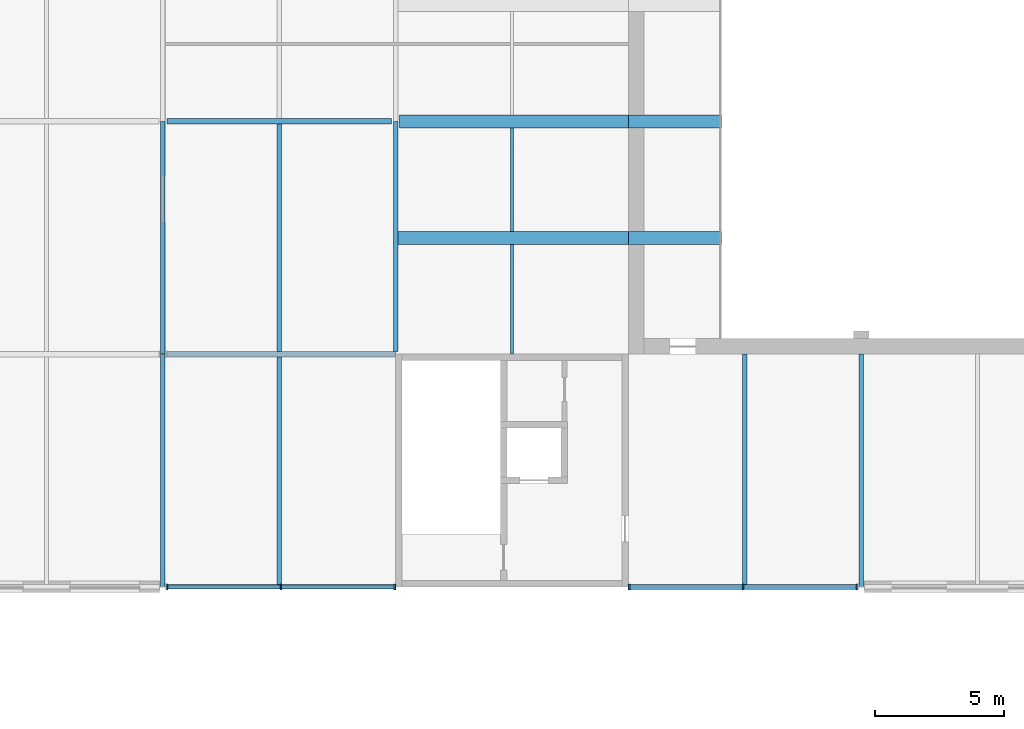
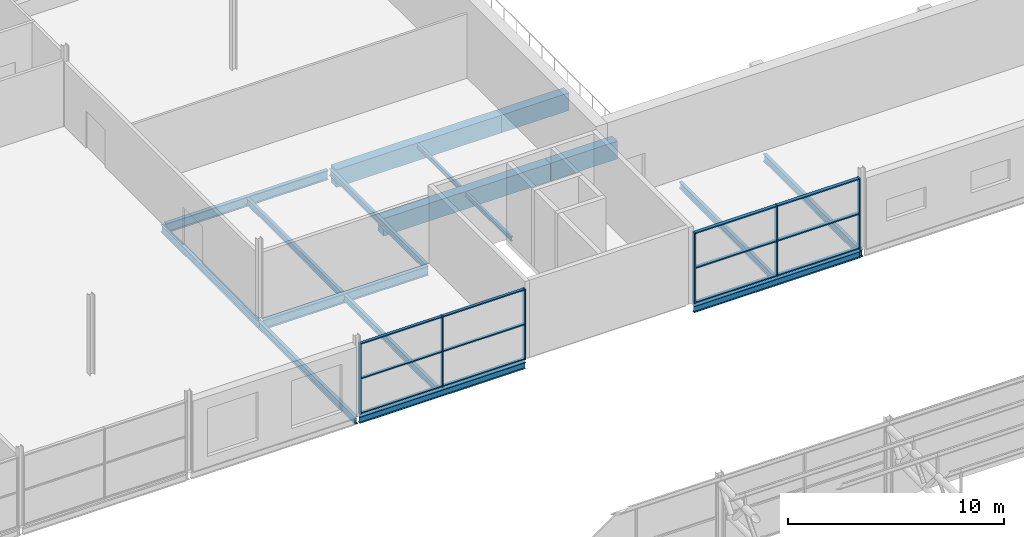
# One storey, part 59 of 138: 18 members, 17 beams, 2 elements without a shape of their own.
"""IFC4 building model written with IfcOpenShell, lengths in metres."""

from ifc_helpers import new_model, si_unit, direction, frame, origin, origin_2d, place, context, subcontext, project, spatial, rectangle, i_section, extrude, material, layer, layer_set, material_profile, profile_set, type_object, element, aggregate, save


model = new_model("IFC4")

# Units and contexts
model_context = context("Model", 3, precision=1e-05, world=origin(), true_north=direction((0.0, 1.0)))
body_context = subcontext(model_context, "Body", "Model", "MODEL_VIEW")
ifc_project = project(units=[si_unit("LENGTHUNIT", "METRE"), si_unit("AREAUNIT", "SQUARE_METRE"), si_unit("VOLUMEUNIT", "CUBIC_METRE"), si_unit("PLANEANGLEUNIT", "RADIAN"), si_unit("MASSUNIT", "GRAM", prefix="KILO")], contexts=[model_context])

# Site, building, storey
site_placement = place(None, origin())
site = spatial("IfcSite", under=ifc_project, at=site_placement, CompositionType="ELEMENT")
building_placement = place(site_placement, origin())
building = spatial("IfcBuilding", under=site, at=building_placement, Name="Corbel Yard City Hall", CompositionType="ELEMENT")
storey_placement = place(building_placement, frame((0.0, 0.0, 10.5)))
storey = spatial("IfcBuildingStorey", under=building, at=storey_placement, Name="L02", CompositionType="ELEMENT", Elevation=10.5)

# Beams
ifc_material_1 = material(Name="Steel Grade 300 (300 MPa yield)", Category="steel")
ifc_material_profile_1 = material_profile(ifc_material_1, i_section(OverallWidth=0.1708984375, OverallDepth=0.35595703125, WebThickness=0.00732421875, FlangeThickness=0.011474609375, at=origin_2d()), Name="360UB50.7")
ifc_profile_set_1 = profile_set([ifc_material_profile_1], Name="Steel Grade 300 (300 MPa yield)")
beam_type_1 = type_object("IfcBeamType", Name="Beam 360UB50.7", PredefinedType="BEAM", material=ifc_profile_set_1)
beam_1_placement = place(storey_placement, frame((108.0, 54.1044921875, -0.327880859375), z_axis=(0.0, 1.0, 0.0), x_axis=(-1.0, 0.0, 0.0)))
element("IfcBeam", 1, at=beam_1_placement, inside=storey, type_object=beam_type_1, Name="Beam 360UB50.7 SB14 L02floor", PredefinedType="BEAM", context=body_context, shape_type="SweptSolid", body=[
    extrude(i_section(OverallWidth=0.1708984375, OverallDepth=0.35595703125, WebThickness=0.00732421875, FlangeThickness=0.011474609375, at=origin_2d()), origin(), (0.0, 0.0, 1.0), 8.8896484375),
])
ifc_material_profile_2 = material_profile(ifc_material_1, i_section(OverallWidth=0.177978515625, OverallDepth=0.403076171875, WebThickness=0.007568359375, FlangeThickness=0.010986328125, at=origin_2d()), Name="410UB53.7")
ifc_profile_set_2 = profile_set([ifc_material_profile_2], Name="Steel Grade 300 (300 MPa yield)")
beam_type_2 = type_object("IfcBeamType", Name="Beam 410UB53.7", PredefinedType="BEAM", material=ifc_profile_set_2)
beam_2_placement = place(storey_placement, frame((99.0, 45.00537109375, -0.3515625), z_axis=(0.0, 1.0, 0.0), x_axis=(-1.0, 0.0, 0.0)))
element("IfcBeam", 2, at=beam_2_placement, inside=storey, type_object=beam_type_2, Name="Beam 410UB53.7 SB6 L02floor", PredefinedType="BEAM", context=body_context, shape_type="SweptSolid", body=[
    extrude(i_section(OverallWidth=0.177978515625, OverallDepth=0.403076171875, WebThickness=0.007568359375, FlangeThickness=0.010986328125, at=origin_2d()), origin(), (0.0, 0.0, 1.0), 8.98876953125),
])
beam_3_placement = place(storey_placement, frame((99.0, 54.005859375, -0.3515625), z_axis=(0.0, 1.0, 0.0), x_axis=(-1.0, 0.0, 0.0)))
element("IfcBeam", 3, at=beam_3_placement, inside=storey, type_object=beam_type_2, Name="Beam 410UB53.7 SB6 L02floor", PredefinedType="BEAM", context=body_context, shape_type="SweptSolid", body=[
    extrude(i_section(OverallWidth=0.177978515625, OverallDepth=0.403076171875, WebThickness=0.007568359375, FlangeThickness=0.010986328125, at=origin_2d()), origin(), (0.0, 0.0, 1.0), 8.98828125),
])
beam_4_placement = place(storey_placement, frame((126.0, 45.00537109375, -0.3515625), z_axis=(0.0, 1.0, 0.0), x_axis=(-1.0, 0.0, 0.0)))
element("IfcBeam", 4, at=beam_4_placement, inside=storey, type_object=beam_type_2, Name="Beam 410UB53.7 SB6 L02floor", PredefinedType="BEAM", context=body_context, shape_type="SweptSolid", body=[
    extrude(i_section(OverallWidth=0.177978515625, OverallDepth=0.403076171875, WebThickness=0.007568359375, FlangeThickness=0.010986328125, at=origin_2d()), origin(), (0.0, 0.0, 1.0), 8.99462890625),
])
ifc_material_profile_3 = material_profile(ifc_material_1, i_section(OverallWidth=0.172119140625, OverallDepth=0.35888671875, WebThickness=0.008056640625, FlangeThickness=0.012939453125, at=origin_2d()), Name="360UB56.7")
ifc_profile_set_3 = profile_set([ifc_material_profile_3], Name="Steel Grade 300 (300 MPa yield)")
beam_type_3 = type_object("IfcBeamType", Name="Edge beam 360UB56.7", PredefinedType="BEAM", material=ifc_profile_set_3)
for number, where, z_axis, x_axis, name in (
    (5, (99.1298828125, 45.0, -0.32958984375), (1.0, 0.0, 0.0), (0.0, 1.0, 0.0), "Edge beam 360UB56.7 EB4 L02floor"),
    (6, (117.0, 45.0, -0.32958984375), (1.0, 0.0, 0.0), (0.0, 1.0, 0.0), "Edge beam 360UB56.7 EB4 L02floor"),
):
    element("IfcBeam", number, at=place(storey_placement, frame(where, z_axis=z_axis, x_axis=x_axis)), inside=storey, type_object=beam_type_3, Name=name, PredefinedType="BEAM", context=body_context, shape_type="SweptSolid", body=[
        extrude(i_section(OverallWidth=0.172119140625, OverallDepth=0.35888671875, WebThickness=0.008056640625, FlangeThickness=0.012939453125, at=origin_2d()), origin(), (0.0, 0.0, 1.0), 8.8701171875),
    ])
ifc_material_2 = material(Name="Concrete N40 (40 MPa)", Category="concrete")
ifc_material_profile_4 = material_profile(ifc_material_2, rectangle(XDim=0.5, YDim=1.0, at=origin_2d()), Name="500x1000")
ifc_profile_set_4 = profile_set([ifc_material_profile_4], Name="Concrete N40 (40 MPa)")
beam_type_4 = type_object("IfcBeamType", Name="Gallery back-span beam RC 500X1000", PredefinedType="BEAM", material=ifc_profile_set_4)
beam_5_placement = place(storey_placement, frame((108.08544921875, 58.5, -0.64990234375), z_axis=(1.0, 0.0, 0.0), x_axis=(0.0, 1.0, 0.0)))
element("IfcBeam", 7, at=beam_5_placement, inside=storey, type_object=beam_type_4, Name="Gallery back-span beam RC 500X1000 TB1 L02floor", PredefinedType="BEAM", context=body_context, shape_type="SweptSolid", body=[
    extrude(rectangle(XDim=0.5, YDim=1.0, at=origin_2d()), origin(), (0.0, 0.0, 1.0), 8.91455078125),
])
beam_6_placement = place(storey_placement, frame((108.157470703125, 63.0, -0.64990234375), z_axis=(1.0, 0.0, 0.0), x_axis=(0.0, 1.0, 0.0)))
element("IfcBeam", 8, at=beam_6_placement, inside=storey, type_object=beam_type_4, Name="Gallery back-span beam RC 500X1000 TB1 L02floor", PredefinedType="BEAM", context=body_context, shape_type="SweptSolid", body=[
    extrude(rectangle(XDim=0.5, YDim=1.0, at=origin_2d()), origin(), (0.0, 0.0, 1.0), 8.842529296875),
])
ifc_material_profile_5 = material_profile(ifc_material_2, rectangle(XDim=0.5, YDim=1.0, at=origin_2d()), Name="500x1000")
ifc_profile_set_5 = profile_set([ifc_material_profile_5], Name="Concrete N40 (40 MPa)")
beam_type_5 = type_object("IfcBeamType", Name="Gallery cantilever beam RC 500X1000", PredefinedType="BEAM", material=ifc_profile_set_5)
for number, where, z_axis, x_axis, name in (
    (9, (117.0, 58.5, -0.64990234375), (1.0, 0.0, 0.0), (0.0, 1.0, 0.0), "Gallery cantilever beam RC 500X1000 TB2 L02floor"),
    (10, (117.0, 63.0, -0.64990234375), (1.0, 0.0, 0.0), (0.0, 1.0, 0.0), "Gallery cantilever beam RC 500X1000 TB2 L02floor"),
):
    element("IfcBeam", number, at=place(storey_placement, frame(where, z_axis=z_axis, x_axis=x_axis)), inside=storey, type_object=beam_type_5, Name=name, PredefinedType="BEAM", context=body_context, shape_type="SweptSolid", body=[
        extrude(rectangle(XDim=0.5, YDim=1.0, at=origin_2d()), origin(), (0.0, 0.0, 1.0), 3.60009765625),
    ])
ifc_material_profile_6 = material_profile(ifc_material_1, i_section(OverallWidth=0.208984375, OverallDepth=0.528076171875, WebThickness=0.009521484375, FlangeThickness=0.01318359375, at=origin_2d()), Name="530UB82.0")
ifc_profile_set_6 = profile_set([ifc_material_profile_6], Name="Steel Grade 300 (300 MPa yield)")
beam_type_6 = type_object("IfcBeamType", Name="Girder 530UB82.0", PredefinedType="BEAM", material=ifc_profile_set_6)
beam_7_placement = place(storey_placement, frame((99.157470703125, 54.0, -0.4140625), z_axis=(1.0, 0.0, 0.0), x_axis=(0.0, 1.0, 0.0)))
element("IfcBeam", 11, at=beam_7_placement, inside=storey, type_object=beam_type_6, Name="Girder 530UB82.0 GB3 L02floor", PredefinedType="BEAM", context=body_context, shape_type="SweptSolid", body=[
    extrude(i_section(OverallWidth=0.208984375, OverallDepth=0.528076171875, WebThickness=0.009521484375, FlangeThickness=0.01318359375, at=origin_2d()), origin(), (0.0, 0.0, 1.0), 8.842529296875),
])
beam_8_placement = place(storey_placement, frame((99.157470703125, 63.0, -0.4140625), z_axis=(1.0, 0.0, 0.0), x_axis=(0.0, 1.0, 0.0)))
element("IfcBeam", 12, at=beam_8_placement, inside=storey, type_object=beam_type_6, Name="Girder 530UB82.0 GB3 L02floor", PredefinedType="BEAM", context=body_context, shape_type="SweptSolid", body=[
    extrude(i_section(OverallWidth=0.208984375, OverallDepth=0.528076171875, WebThickness=0.009521484375, FlangeThickness=0.01318359375, at=origin_2d()), origin(), (0.0, 0.0, 1.0), 8.68505859375),
])

# Curtain wall, members
ifc_material_3 = material(Name="Aluminium extrusion", Category="aluminium")
ifc_layer_1 = layer(ifc_material_3, 0.199951171875)
ifc_layer_set_1 = layer_set([ifc_layer_1], Name="Aluminium extrusion")
curtain_wall_type_1 = type_object("IfcCurtainWallType", Name="CW1", PredefinedType="USERDEFINED", material=ifc_layer_set_1)
curtain_wall_1_placement = place(storey_placement, origin())
curtain_wall_1 = element("IfcCurtainWall", 13, at=curtain_wall_1_placement, inside=storey, type_object=curtain_wall_type_1, Name="Curtain wall CW1 L02", ObjectType="CURTAIN WALL", PredefinedType="USERDEFINED")
ifc_material_profile_7 = material_profile(ifc_material_3, rectangle(XDim=0.199951171875, YDim=0.06494140625, at=origin_2d()), Name="200x65")
ifc_profile_set_7 = profile_set([ifc_material_profile_7], Name="Aluminium extrusion")
member_type_1 = type_object("IfcMemberType", Name="ML1", PredefinedType="MULLION", material=ifc_profile_set_7)
member_1_placement = place(storey_placement, frame((99.159423828125, 45.0, 0.0), z_axis=(0.0, 0.0, 1.0), x_axis=(0.0, 1.0, 0.0)))
member_1 = element("IfcMember", 14, at=member_1_placement, type_object=member_type_1, Name="CW1 mullion 1", PredefinedType="MULLION", context=body_context, shape_type="SweptSolid", body=[
    extrude(rectangle(XDim=0.199951171875, YDim=0.06494140625, at=origin_2d()), origin(), (0.0, 0.0, 1.0), 3.990966796875),
])
member_2_placement = place(storey_placement, frame((103.5634765625, 45.0, 0.0), z_axis=(0.0, 0.0, 1.0), x_axis=(0.0, 1.0, 0.0)))
member_2 = element("IfcMember", 15, at=member_2_placement, type_object=member_type_1, Name="CW1 mullion 2", PredefinedType="MULLION", context=body_context, shape_type="SweptSolid", body=[
    extrude(rectangle(XDim=0.199951171875, YDim=0.06494140625, at=origin_2d()), origin(), (0.0, 0.0, 1.0), 3.990966796875),
])
member_3_placement = place(storey_placement, frame((107.967529296875, 45.0, 0.0), z_axis=(0.0, 0.0, 1.0), x_axis=(0.0, 1.0, 0.0)))
member_3 = element("IfcMember", 16, at=member_3_placement, type_object=member_type_1, Name="CW1 mullion 3", PredefinedType="MULLION", context=body_context, shape_type="SweptSolid", body=[
    extrude(rectangle(XDim=0.199951171875, YDim=0.06494140625, at=origin_2d()), origin(), (0.0, 0.0, 1.0), 3.990966796875),
])

ifc_layer_2 = layer(ifc_material_3, 0.219970703125)
ifc_layer_set_2 = layer_set([ifc_layer_2], Name="Aluminium extrusion")
curtain_wall_type_2 = type_object("IfcCurtainWallType", Name="CW5", PredefinedType="USERDEFINED", material=ifc_layer_set_2)
curtain_wall_2_placement = place(storey_placement, origin())
curtain_wall_2 = element("IfcCurtainWall", 17, at=curtain_wall_2_placement, inside=storey, type_object=curtain_wall_type_2, Name="Curtain wall CW5 L02", ObjectType="CURTAIN WALL", PredefinedType="USERDEFINED")
ifc_material_profile_8 = material_profile(ifc_material_3, rectangle(XDim=0.219970703125, YDim=0.06494140625, at=origin_2d()), Name="220x65")
ifc_profile_set_8 = profile_set([ifc_material_profile_8], Name="Aluminium extrusion")
member_type_2 = type_object("IfcMemberType", Name="ML5", PredefinedType="MULLION", material=ifc_profile_set_8)
member_4_placement = place(storey_placement, frame((117.032470703125, 45.0, 0.0), z_axis=(0.0, 0.0, 1.0), x_axis=(0.0, 1.0, 0.0)))
member_4 = element("IfcMember", 18, at=member_4_placement, type_object=member_type_2, Name="CW5 mullion 1", PredefinedType="MULLION", context=body_context, shape_type="SweptSolid", body=[
    extrude(rectangle(XDim=0.219970703125, YDim=0.06494140625, at=origin_2d()), origin(), (0.0, 0.0, 1.0), 3.990966796875),
])
member_5_placement = place(storey_placement, frame((121.4365234375, 45.0, 0.0), z_axis=(0.0, 0.0, 1.0), x_axis=(0.0, 1.0, 0.0)))
member_5 = element("IfcMember", 19, at=member_5_placement, type_object=member_type_2, Name="CW5 mullion 2", PredefinedType="MULLION", context=body_context, shape_type="SweptSolid", body=[
    extrude(rectangle(XDim=0.219970703125, YDim=0.06494140625, at=origin_2d()), origin(), (0.0, 0.0, 1.0), 3.990966796875),
])
member_6_placement = place(storey_placement, frame((125.840576171875, 45.0, 0.0), z_axis=(0.0, 0.0, 1.0), x_axis=(0.0, 1.0, 0.0)))
member_6 = element("IfcMember", 20, at=member_6_placement, type_object=member_type_2, Name="CW5 mullion 3", PredefinedType="MULLION", context=body_context, shape_type="SweptSolid", body=[
    extrude(rectangle(XDim=0.219970703125, YDim=0.06494140625, at=origin_2d()), origin(), (0.0, 0.0, 1.0), 3.990966796875),
])

# Beams
ifc_material_profile_9 = material_profile(ifc_material_1, i_section(OverallWidth=0.1708984375, OverallDepth=0.35205078125, WebThickness=0.0068359375, FlangeThickness=0.009765625, at=origin_2d()), Name="360UB44.7")
ifc_profile_set_9 = profile_set([ifc_material_profile_9], Name="Steel Grade 300 (300 MPa yield)")
beam_type_7 = type_object("IfcBeamType", Name="Secondary beam 360UB44.7", PredefinedType="JOIST", material=ifc_profile_set_9)
beam_9_placement = place(storey_placement, frame((103.5, 54.1044921875, -0.325927734375), z_axis=(0.0, 1.0, 0.0), x_axis=(-1.0, 0.0, 0.0)))
element("IfcBeam", 21, at=beam_9_placement, inside=storey, type_object=beam_type_7, Name="Secondary beam 360UB44.7 SB11 L02floor", PredefinedType="JOIST", context=body_context, shape_type="SweptSolid", body=[
    extrude(i_section(OverallWidth=0.1708984375, OverallDepth=0.35205078125, WebThickness=0.0068359375, FlangeThickness=0.009765625, at=origin_2d()), origin(), (0.0, 0.0, 1.0), 8.791015625),
])
ifc_material_profile_10 = material_profile(ifc_material_1, i_section(OverallWidth=0.1708984375, OverallDepth=0.35595703125, WebThickness=0.00732421875, FlangeThickness=0.011474609375, at=origin_2d()), Name="360UB50.7")
ifc_profile_set_10 = profile_set([ifc_material_profile_10], Name="Steel Grade 300 (300 MPa yield)")
beam_type_8 = type_object("IfcBeamType", Name="Secondary beam 360UB50.7", PredefinedType="JOIST", material=ifc_profile_set_10)
beam_10_placement = place(storey_placement, frame((103.5, 45.0859375, -0.327880859375), z_axis=(0.0, 1.0, 0.0), x_axis=(-1.0, 0.0, 0.0)))
element("IfcBeam", 22, at=beam_10_placement, inside=storey, type_object=beam_type_8, Name="Secondary beam 360UB50.7 SB10 L02floor", PredefinedType="JOIST", context=body_context, shape_type="SweptSolid", body=[
    extrude(i_section(OverallWidth=0.1708984375, OverallDepth=0.35595703125, WebThickness=0.00732421875, FlangeThickness=0.011474609375, at=origin_2d()), origin(), (0.0, 0.0, 1.0), 8.8095703125),
])
ifc_material_profile_11 = material_profile(ifc_material_1, i_section(OverallWidth=0.172119140625, OverallDepth=0.35888671875, WebThickness=0.008056640625, FlangeThickness=0.012939453125, at=origin_2d()), Name="360UB56.7")
ifc_profile_set_11 = profile_set([ifc_material_profile_11], Name="Steel Grade 300 (300 MPa yield)")
beam_type_9 = type_object("IfcBeamType", Name="Secondary beam 360UB56.7", PredefinedType="JOIST", material=ifc_profile_set_11)
beam_11_placement = place(storey_placement, frame((121.5, 45.0859375, -0.32958984375), z_axis=(0.0, 1.0, 0.0), x_axis=(-1.0, 0.0, 0.0)))
element("IfcBeam", 23, at=beam_11_placement, inside=storey, type_object=beam_type_9, Name="Secondary beam 360UB56.7 SB12 L02floor", PredefinedType="JOIST", context=body_context, shape_type="SweptSolid", body=[
    extrude(i_section(OverallWidth=0.172119140625, OverallDepth=0.35888671875, WebThickness=0.008056640625, FlangeThickness=0.012939453125, at=origin_2d()), origin(), (0.0, 0.0, 1.0), 8.9140625),
])
ifc_material_profile_12 = material_profile(ifc_material_1, i_section(OverallWidth=0.1240234375, OverallDepth=0.248046875, WebThickness=0.0048828125, FlangeThickness=0.008056640625, at=origin_2d()), Name="250UB25.7")
ifc_profile_set_12 = profile_set([ifc_material_profile_12], Name="Steel Grade 300 (300 MPa yield)")
beam_type_10 = type_object("IfcBeamType", Name="Short secondary beam 250UB25.7", PredefinedType="JOIST", material=ifc_profile_set_12)
beam_12_placement = place(storey_placement, frame((112.5, 54.0, -0.27392578125), z_axis=(0.0, 1.0, 0.0), x_axis=(-1.0, 0.0, 0.0)))
element("IfcBeam", 24, at=beam_12_placement, inside=storey, type_object=beam_type_10, Name="Short secondary beam 250UB25.7 SB9 L02floor", PredefinedType="JOIST", context=body_context, shape_type="SweptSolid", body=[
    extrude(i_section(OverallWidth=0.1240234375, OverallDepth=0.248046875, WebThickness=0.0048828125, FlangeThickness=0.008056640625, at=origin_2d()), origin(), (0.0, 0.0, 1.0), 4.25),
])
beam_13_placement = place(storey_placement, frame((112.5, 58.75, -0.27392578125), z_axis=(0.0, 1.0, 0.0), x_axis=(-1.0, 0.0, 0.0)))
element("IfcBeam", 25, at=beam_13_placement, inside=storey, type_object=beam_type_10, Name="Short secondary beam 250UB25.7 SB9 L02floor", PredefinedType="JOIST", context=body_context, shape_type="SweptSolid", body=[
    extrude(i_section(OverallWidth=0.1240234375, OverallDepth=0.248046875, WebThickness=0.0048828125, FlangeThickness=0.008056640625, at=origin_2d()), origin(), (0.0, 0.0, 1.0), 4.0),
])

# Member
ifc_material_profile_13 = material_profile(ifc_material_3, rectangle(XDim=0.14990234375, YDim=0.06494140625, at=origin_2d()), Name="150x65")
ifc_profile_set_13 = profile_set([ifc_material_profile_13], Name="Aluminium extrusion")
member_type_3 = type_object("IfcMemberType", Name="TR1", PredefinedType="USERDEFINED", material=ifc_profile_set_13)
member_7_placement = place(storey_placement, frame((99.19189453125, 45.0, 0.032470703125), z_axis=(1.0, 0.0, 0.0), x_axis=(0.0, 1.0, 0.0)))
member_7 = element("IfcMember", 26, at=member_7_placement, type_object=member_type_3, Name="CW1 transom 1.1", ObjectType="TRANSOM", PredefinedType="USERDEFINED", context=body_context, shape_type="SweptSolid", body=[
    extrude(rectangle(XDim=0.14990234375, YDim=0.06494140625, at=origin_2d()), origin(), (0.0, 0.0, 1.0), 4.339111328125),
])

member_8_placement = place(storey_placement, frame((99.19189453125, 45.0, 1.99560546875), z_axis=(1.0, 0.0, 0.0), x_axis=(0.0, 1.0, 0.0)))
member_8 = element("IfcMember", 27, at=member_8_placement, type_object=member_type_3, Name="CW1 transom 1.2", ObjectType="TRANSOM", PredefinedType="USERDEFINED", context=body_context, shape_type="SweptSolid", body=[
    extrude(rectangle(XDim=0.14990234375, YDim=0.06494140625, at=origin_2d()), origin(), (0.0, 0.0, 1.0), 4.339111328125),
])

member_9_placement = place(storey_placement, frame((99.19189453125, 45.0, 3.95849609375), z_axis=(1.0, 0.0, 0.0), x_axis=(0.0, 1.0, 0.0)))
member_9 = element("IfcMember", 28, at=member_9_placement, type_object=member_type_3, Name="CW1 transom 1.3", ObjectType="TRANSOM", PredefinedType="USERDEFINED", context=body_context, shape_type="SweptSolid", body=[
    extrude(rectangle(XDim=0.14990234375, YDim=0.06494140625, at=origin_2d()), origin(), (0.0, 0.0, 1.0), 4.339111328125),
])

member_10_placement = place(storey_placement, frame((103.595947265625, 45.0, 0.032470703125), z_axis=(1.0, 0.0, 0.0), x_axis=(0.0, 1.0, 0.0)))
member_10 = element("IfcMember", 29, at=member_10_placement, type_object=member_type_3, Name="CW1 transom 2.1", ObjectType="TRANSOM", PredefinedType="USERDEFINED", context=body_context, shape_type="SweptSolid", body=[
    extrude(rectangle(XDim=0.14990234375, YDim=0.06494140625, at=origin_2d()), origin(), (0.0, 0.0, 1.0), 4.339111328125),
])

member_11_placement = place(storey_placement, frame((103.595947265625, 45.0, 1.99560546875), z_axis=(1.0, 0.0, 0.0), x_axis=(0.0, 1.0, 0.0)))
member_11 = element("IfcMember", 30, at=member_11_placement, type_object=member_type_3, Name="CW1 transom 2.2", ObjectType="TRANSOM", PredefinedType="USERDEFINED", context=body_context, shape_type="SweptSolid", body=[
    extrude(rectangle(XDim=0.14990234375, YDim=0.06494140625, at=origin_2d()), origin(), (0.0, 0.0, 1.0), 4.339111328125),
])

member_12_placement = place(storey_placement, frame((103.595947265625, 45.0, 3.95849609375), z_axis=(1.0, 0.0, 0.0), x_axis=(0.0, 1.0, 0.0)))
member_12 = element("IfcMember", 31, at=member_12_placement, type_object=member_type_3, Name="CW1 transom 2.3", ObjectType="TRANSOM", PredefinedType="USERDEFINED", context=body_context, shape_type="SweptSolid", body=[
    extrude(rectangle(XDim=0.14990234375, YDim=0.06494140625, at=origin_2d()), origin(), (0.0, 0.0, 1.0), 4.339111328125),
])

aggregate(curtain_wall_1, [member_1, member_2, member_3, member_7, member_8, member_9, member_10, member_11, member_12])

ifc_material_profile_14 = material_profile(ifc_material_3, rectangle(XDim=0.179931640625, YDim=0.06494140625, at=origin_2d()), Name="180x65")
ifc_profile_set_14 = profile_set([ifc_material_profile_14], Name="Aluminium extrusion")
member_type_4 = type_object("IfcMemberType", Name="TR5", PredefinedType="USERDEFINED", material=ifc_profile_set_14)
member_13_placement = place(storey_placement, frame((117.06494140625, 45.0, 0.032470703125), z_axis=(1.0, 0.0, 0.0), x_axis=(0.0, 1.0, 0.0)))
member_13 = element("IfcMember", 32, at=member_13_placement, type_object=member_type_4, Name="CW5 transom 1.1", ObjectType="TRANSOM", PredefinedType="USERDEFINED", context=body_context, shape_type="SweptSolid", body=[
    extrude(rectangle(XDim=0.179931640625, YDim=0.06494140625, at=origin_2d()), origin(), (0.0, 0.0, 1.0), 4.339111328125),
])

member_14_placement = place(storey_placement, frame((117.06494140625, 45.0, 1.99560546875), z_axis=(1.0, 0.0, 0.0), x_axis=(0.0, 1.0, 0.0)))
member_14 = element("IfcMember", 33, at=member_14_placement, type_object=member_type_4, Name="CW5 transom 1.2", ObjectType="TRANSOM", PredefinedType="USERDEFINED", context=body_context, shape_type="SweptSolid", body=[
    extrude(rectangle(XDim=0.179931640625, YDim=0.06494140625, at=origin_2d()), origin(), (0.0, 0.0, 1.0), 4.339111328125),
])

member_15_placement = place(storey_placement, frame((117.06494140625, 45.0, 3.95849609375), z_axis=(1.0, 0.0, 0.0), x_axis=(0.0, 1.0, 0.0)))
member_15 = element("IfcMember", 34, at=member_15_placement, type_object=member_type_4, Name="CW5 transom 1.3", ObjectType="TRANSOM", PredefinedType="USERDEFINED", context=body_context, shape_type="SweptSolid", body=[
    extrude(rectangle(XDim=0.179931640625, YDim=0.06494140625, at=origin_2d()), origin(), (0.0, 0.0, 1.0), 4.339111328125),
])

member_16_placement = place(storey_placement, frame((121.468994140625, 45.0, 0.032470703125), z_axis=(1.0, 0.0, 0.0), x_axis=(0.0, 1.0, 0.0)))
member_16 = element("IfcMember", 35, at=member_16_placement, type_object=member_type_4, Name="CW5 transom 2.1", ObjectType="TRANSOM", PredefinedType="USERDEFINED", context=body_context, shape_type="SweptSolid", body=[
    extrude(rectangle(XDim=0.179931640625, YDim=0.06494140625, at=origin_2d()), origin(), (0.0, 0.0, 1.0), 4.339111328125),
])

member_17_placement = place(storey_placement, frame((121.468994140625, 45.0, 1.99560546875), z_axis=(1.0, 0.0, 0.0), x_axis=(0.0, 1.0, 0.0)))
member_17 = element("IfcMember", 36, at=member_17_placement, type_object=member_type_4, Name="CW5 transom 2.2", ObjectType="TRANSOM", PredefinedType="USERDEFINED", context=body_context, shape_type="SweptSolid", body=[
    extrude(rectangle(XDim=0.179931640625, YDim=0.06494140625, at=origin_2d()), origin(), (0.0, 0.0, 1.0), 4.339111328125),
])

member_18_placement = place(storey_placement, frame((121.468994140625, 45.0, 3.95849609375), z_axis=(1.0, 0.0, 0.0), x_axis=(0.0, 1.0, 0.0)))
member_18 = element("IfcMember", 37, at=member_18_placement, type_object=member_type_4, Name="CW5 transom 2.3", ObjectType="TRANSOM", PredefinedType="USERDEFINED", context=body_context, shape_type="SweptSolid", body=[
    extrude(rectangle(XDim=0.179931640625, YDim=0.06494140625, at=origin_2d()), origin(), (0.0, 0.0, 1.0), 4.339111328125),
])

aggregate(curtain_wall_2, [member_4, member_5, member_6, member_13, member_14, member_15, member_16, member_17, member_18])

save(model, "model.ifc")
